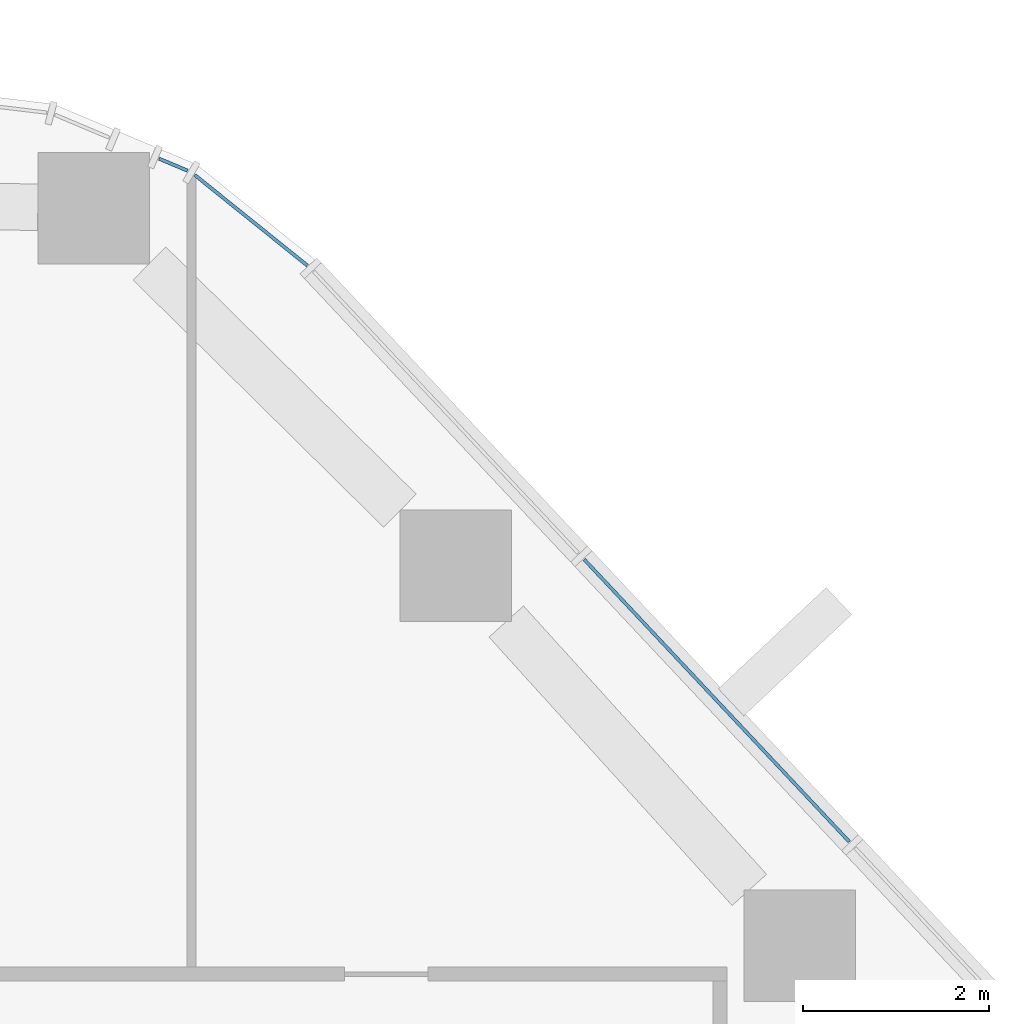
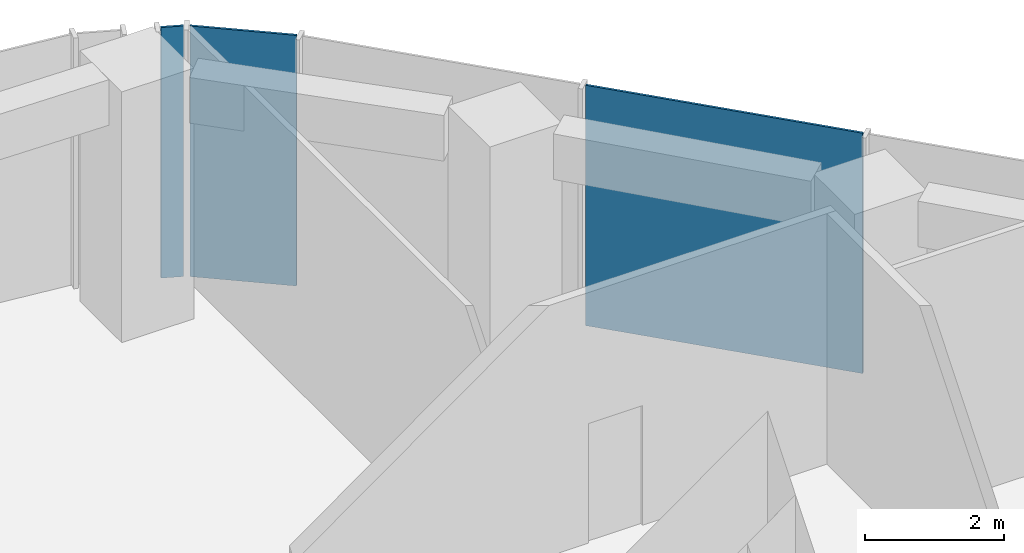
# One storey, part 10 of 16: 3 plates, 2 elements without a shape of their own.
"""IFC4 building model written with IfcOpenShell, lengths in metres."""

from ifc_helpers import new_model, si_unit, direction, frame, origin, origin_2d, place, context, subcontext, project, spatial, rectangle, extrude, material, layer, layer_set, type_object, element, aggregate, save


model = new_model("IFC4")

# Units and contexts
model_context = context("Model", 3, precision=1e-05, world=origin(), true_north=direction((0.0, 1.0)))
body_context = subcontext(model_context, "Body", "Model", "MODEL_VIEW")
ifc_project = project(units=[si_unit("LENGTHUNIT", "METRE"), si_unit("AREAUNIT", "SQUARE_METRE"), si_unit("VOLUMEUNIT", "CUBIC_METRE"), si_unit("PLANEANGLEUNIT", "RADIAN"), si_unit("MASSUNIT", "GRAM", prefix="KILO")], contexts=[model_context])

# Site, building, storey
site_placement = place(None, origin())
site = spatial("IfcSite", under=ifc_project, at=site_placement, CompositionType="ELEMENT")
building_placement = place(site_placement, origin())
building = spatial("IfcBuilding", under=site, at=building_placement, Name="Dongbaek Canopy Tower", CompositionType="ELEMENT")
storey_placement = place(building_placement, frame((0.0, 0.0, 215.60009765625)))
storey = spatial("IfcBuildingStorey", under=building, at=storey_placement, Name="L45", CompositionType="ELEMENT", Elevation=215.60009765625)

# Curtain wall, plate
ifc_material_1 = material(Name="Aluminium 6063-T6 pale anodised", Category="aluminium")
ifc_layer_1 = layer(ifc_material_1, 0.25)
ifc_layer_set_1 = layer_set([ifc_layer_1], Name="CW-4 sky-lobby curtain wall")
curtain_wall_type = type_object("IfcCurtainWallType", Name="CW-4 sky-lobby curtain wall", PredefinedType="NOTDEFINED", material=ifc_layer_set_1)
curtain_wall_1_placement = place(storey_placement, origin())
curtain_wall_1 = element("IfcCurtainWall", 1, at=curtain_wall_1_placement, inside=storey, type_object=curtain_wall_type, Name="CW-4 curtain wall F0.1", PredefinedType="NOTDEFINED")
ifc_material_2 = material(Name="Clear laminated glass", Category="glass")
ifc_layer_2 = layer(ifc_material_2, 0.035888671875)
ifc_layer_set_2 = layer_set([ifc_layer_2], Name="CW-4 glazed panel 36")
plate_type = type_object("IfcPlateType", Name="CW-4 glazed panel 36", PredefinedType="CURTAIN_PANEL", material=ifc_layer_set_2)
plate_1_placement = place(storey_placement, frame((16.3671875, 16.34130859375, 0.1796875), z_axis=(0.0, 0.0, 1.0), x_axis=(-0.68457677526, 0.728940764929, 0.0)))
plate_1 = element("IfcPlate", 2, at=plate_1_placement, type_object=plate_type, Name="CW-4 panel F0.1.3.1", PredefinedType="CURTAIN_PANEL", context=body_context, shape_type="SweptSolid", body=[
    extrude(rectangle(XDim=4.16357421875, YDim=0.035888671875, at=origin_2d()), origin(), (0.0, 0.0, 1.0), 4.219970703125),
])
aggregate(curtain_wall_1, [plate_1])

# Curtain wall, plates
curtain_wall_2_placement = place(storey_placement, origin())
curtain_wall_2 = element("IfcCurtainWall", 3, at=curtain_wall_2_placement, inside=storey, type_object=curtain_wall_type, Name="CW-4 curtain wall K1.1a", PredefinedType="NOTDEFINED")
plate_2_placement = place(storey_placement, frame((11.35888671875, 21.507080078125, 0.0), z_axis=(0.0, 0.0, 1.0), x_axis=(-0.779184494006, 0.626794642847, 0.0)))
plate_2 = element("IfcPlate", 4, at=plate_2_placement, type_object=plate_type, Name="CW-4 panel K1.1a.1.1", PredefinedType="CURTAIN_PANEL", context=body_context, shape_type="SweptSolid", body=[
    extrude(rectangle(XDim=1.5517578125, YDim=0.035888671875, at=origin_2d()), origin(), (0.0, 0.0, 1.0), 4.39990234375),
])
plate_3_placement = place(storey_placement, frame((10.52197265625, 22.105224609375, 0.0), z_axis=(0.0, 0.0, 1.0), x_axis=(-0.92154660658, 0.388267757999, 0.0)))
plate_3 = element("IfcPlate", 5, at=plate_3_placement, type_object=plate_type, Name="CW-4 panel K1.1a.2.1", PredefinedType="CURTAIN_PANEL", context=body_context, shape_type="SweptSolid", body=[
    extrude(rectangle(XDim=0.3310546875, YDim=0.035888671875, at=origin_2d()), origin(), (0.0, 0.0, 1.0), 4.39990234375),
])
aggregate(curtain_wall_2, [plate_2, plate_3])

save(model, "model.ifc")
